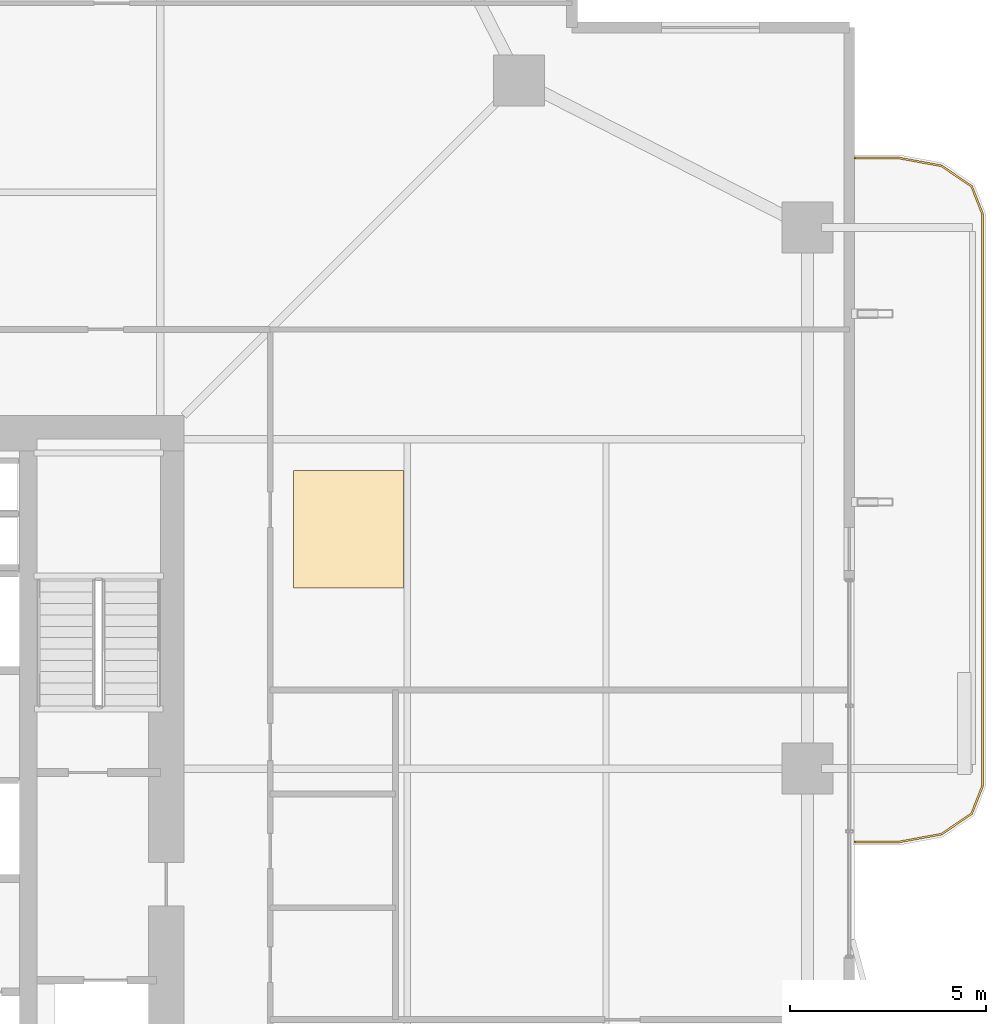
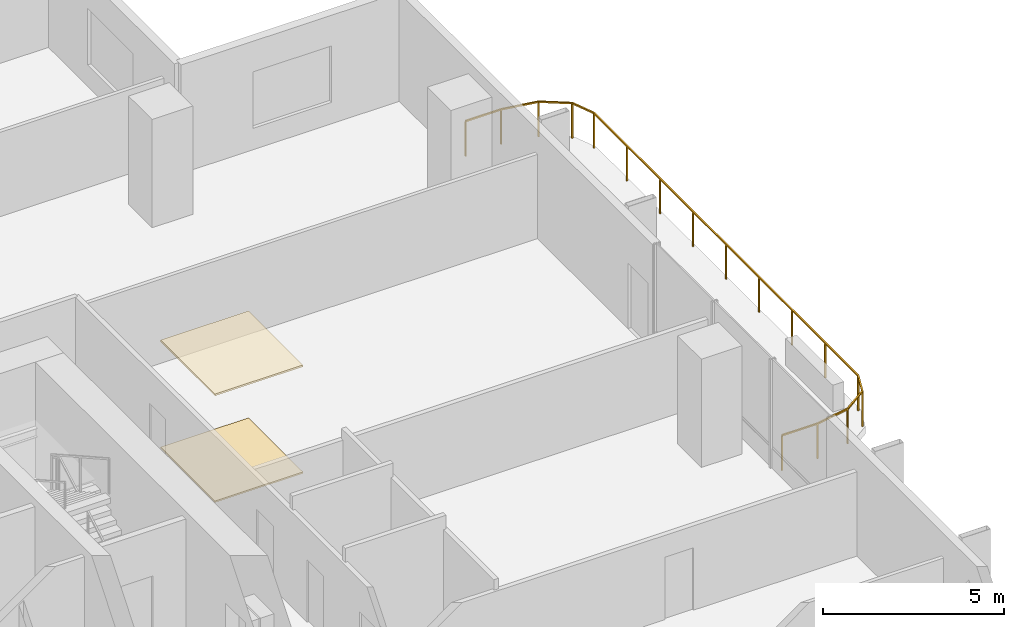
# One storey, part 24 of 24: 2 coverings, 1 railing.
"""IFC4 building model written with IfcOpenShell, lengths in metres."""

from ifc_helpers import new_model, si_unit, direction, frame, origin, origin_2d, place, context, subcontext, project, spatial, polyline, rectangle, outline, extrude, material, layer, layer_set, type_object, element, save


model = new_model("IFC4")

# Units and contexts
model_context = context("Model", 3, precision=1e-05, world=origin(), true_north=direction((0.0, 1.0)))
body_context = subcontext(model_context, "Body", "Model", "MODEL_VIEW")
ifc_project = project(units=[si_unit("LENGTHUNIT", "METRE"), si_unit("AREAUNIT", "SQUARE_METRE"), si_unit("VOLUMEUNIT", "CUBIC_METRE"), si_unit("PLANEANGLEUNIT", "RADIAN"), si_unit("MASSUNIT", "GRAM", prefix="KILO")], contexts=[model_context])

# Site, building, storey
site_placement = place(None, origin())
site = spatial("IfcSite", under=ifc_project, at=site_placement, CompositionType="ELEMENT")
building_placement = place(site_placement, origin())
building = spatial("IfcBuilding", under=site, at=building_placement, Name="Belovzor Exchange Tower", CompositionType="ELEMENT")
storey_placement = place(building_placement, frame((0.0, 0.0, 129.0)))
storey = spatial("IfcBuildingStorey", under=building, at=storey_placement, Name="L31", CompositionType="ELEMENT", Elevation=129.0)

# Railing
ifc_material_1 = material(Name="Stainless Steel and Laminated Safety Glass", Category="steel")
railing_type = type_object("IfcRailingType", Name="Laminated Glass & Stainless Steel Balcony Balustrade 1200", PredefinedType="BALUSTRADE", material=ifc_material_1)
railing_placement = place(storey_placement, frame((54.909912109375, 26.929931640625, 0.0)))
element("IfcRailing", 1, at=railing_placement, inside=storey, type_object=railing_type, Name="GR-1 Balcony Balustrade L31 East", PredefinedType="BALUSTRADE", context=body_context, shape_type="SweptSolid", body=[
    extrude(rectangle(XDim=0.048095703125, YDim=0.048095703125, at=origin_2d()), frame((0.0, 0.0, 1.17578125), z_axis=(1.0, 0.0, 0.0), x_axis=(0.0, 1.0, 0.0)), (0.0, 0.0, 1.0), 1.133056640625),
    extrude(rectangle(XDim=0.048095703125, YDim=0.048095703125, at=origin_2d()), frame((1.133056640625, 0.0, 1.17578125), z_axis=(0.983644145941, 0.180122719713, 0.0), x_axis=(-0.180122719713, 0.983644145941, 0.0)), (0.0, 0.0, 1.0), 1.09375),
    extrude(rectangle(XDim=0.048095703125, YDim=0.048095703125, at=origin_2d()), frame((2.208984375, 0.197021484375, 1.17578125), z_axis=(0.826493025367, 0.56294695933, 0.0), x_axis=(-0.56294695933, 0.826493025367, 0.0)), (0.0, 0.0, 1.0), 0.932861328125),
    extrude(rectangle(XDim=0.048095703125, YDim=0.048095703125, at=origin_2d()), frame((2.97998046875, 0.72216796875, 1.17578125), z_axis=(0.365612923861, 0.930766990125, 0.0), x_axis=(-0.930766990125, 0.365612923861, 0.0)), (0.0, 0.0, 1.0), 0.765869140625),
    extrude(rectangle(XDim=0.048095703125, YDim=0.048095703125, at=origin_2d()), frame((3.260009765625, 1.43505859375, 1.17578125), z_axis=(0.0, 1.0, 0.0), x_axis=(-1.0, 0.0, 0.0)), (0.0, 0.0, 1.0), 14.570068359375),
    extrude(rectangle(XDim=0.048095703125, YDim=0.048095703125, at=origin_2d()), frame((3.260009765625, 16.005126953125, 1.17578125), z_axis=(-0.365612923861, 0.930766990125, 0.0), x_axis=(-0.930766990125, -0.365612923861, 0.0)), (0.0, 0.0, 1.0), 0.765869140625),
    extrude(rectangle(XDim=0.048095703125, YDim=0.048095703125, at=origin_2d()), frame((2.97998046875, 16.718017578125, 1.17578125), z_axis=(-0.826493025367, 0.56294695933, 0.0), x_axis=(-0.56294695933, -0.826493025367, 0.0)), (0.0, 0.0, 1.0), 0.932861328125),
    extrude(rectangle(XDim=0.048095703125, YDim=0.048095703125, at=origin_2d()), frame((2.208984375, 17.2431640625, 1.17578125), z_axis=(-0.983644145941, 0.180122719713, 0.0), x_axis=(-0.180122719713, -0.983644145941, 0.0)), (0.0, 0.0, 1.0), 1.09375),
    extrude(rectangle(XDim=0.048095703125, YDim=0.048095703125, at=origin_2d()), frame((1.133056640625, 17.440185546875, 1.17578125), z_axis=(-1.0, 0.0, 0.0), x_axis=(0.0, -1.0, 0.0)), (0.0, 0.0, 1.0), 1.133056640625),
    extrude(rectangle(XDim=0.0419921875, YDim=0.0419921875, at=origin_2d()), origin(), (0.0, 0.0, 1.0), 1.15185546875),
    extrude(rectangle(XDim=0.0419921875, YDim=0.0419921875, at=origin_2d()), frame((1.133056640625, 0.0, 0.0)), (0.0, 0.0, 1.0), 1.15185546875),
    extrude(rectangle(XDim=0.0419921875, YDim=0.0419921875, at=origin_2d()), frame((2.208984375, 0.197021484375, 0.0)), (0.0, 0.0, 1.0), 1.15185546875),
    extrude(rectangle(XDim=0.0419921875, YDim=0.0419921875, at=origin_2d()), frame((2.97998046875, 0.72216796875, 0.0)), (0.0, 0.0, 1.0), 1.15185546875),
    extrude(rectangle(XDim=0.0419921875, YDim=0.0419921875, at=origin_2d()), frame((3.260009765625, 1.43505859375, 0.0)), (0.0, 0.0, 1.0), 1.15185546875),
    extrude(rectangle(XDim=0.0419921875, YDim=0.0419921875, at=origin_2d()), frame((3.260009765625, 3.25634765625, 0.0)), (0.0, 0.0, 1.0), 1.15185546875),
    extrude(rectangle(XDim=0.0419921875, YDim=0.0419921875, at=origin_2d()), frame((3.260009765625, 5.07763671875, 0.0)), (0.0, 0.0, 1.0), 1.15185546875),
    extrude(rectangle(XDim=0.0419921875, YDim=0.0419921875, at=origin_2d()), frame((3.260009765625, 6.89892578125, 0.0)), (0.0, 0.0, 1.0), 1.15185546875),
    extrude(rectangle(XDim=0.0419921875, YDim=0.0419921875, at=origin_2d()), frame((3.260009765625, 8.72021484375, 0.0)), (0.0, 0.0, 1.0), 1.15185546875),
    extrude(rectangle(XDim=0.0419921875, YDim=0.0419921875, at=origin_2d()), frame((3.260009765625, 10.541259765625, 0.0)), (0.0, 0.0, 1.0), 1.15185546875),
    extrude(rectangle(XDim=0.0419921875, YDim=0.0419921875, at=origin_2d()), frame((3.260009765625, 12.362548828125, 0.0)), (0.0, 0.0, 1.0), 1.15185546875),
    extrude(rectangle(XDim=0.0419921875, YDim=0.0419921875, at=origin_2d()), frame((3.260009765625, 14.183837890625, 0.0)), (0.0, 0.0, 1.0), 1.15185546875),
    extrude(rectangle(XDim=0.0419921875, YDim=0.0419921875, at=origin_2d()), frame((3.260009765625, 16.005126953125, 0.0)), (0.0, 0.0, 1.0), 1.15185546875),
    extrude(rectangle(XDim=0.0419921875, YDim=0.0419921875, at=origin_2d()), frame((2.97998046875, 16.718017578125, 0.0)), (0.0, 0.0, 1.0), 1.15185546875),
    extrude(rectangle(XDim=0.0419921875, YDim=0.0419921875, at=origin_2d()), frame((2.208984375, 17.2431640625, 0.0)), (0.0, 0.0, 1.0), 1.15185546875),
    extrude(rectangle(XDim=0.0419921875, YDim=0.0419921875, at=origin_2d()), frame((1.133056640625, 17.440185546875, 0.0)), (0.0, 0.0, 1.0), 1.15185546875),
    extrude(rectangle(XDim=0.0419921875, YDim=0.0419921875, at=origin_2d()), frame((0.0, 17.440185546875, 0.0)), (0.0, 0.0, 1.0), 1.15185546875),
])

# Coverings
ifc_material_2 = material(Name="Perforated Powder-Coated Aluminium", Category="aluminium")
ifc_layer_1 = layer(ifc_material_2, 0.06005859375)
ifc_layer_set_1 = layer_set([ifc_layer_1], Name="Perforated Powder-Coated Aluminium")
covering_type_1 = type_object("IfcCoveringType", Name="Perforated Acoustic Metal Tile Suspended Ceiling 60", PredefinedType="CEILING", material=ifc_layer_set_1)
covering_1_placement = place(storey_placement, frame((0.0, 0.0, 3.590087890625)))
element("IfcCovering", 2, at=covering_1_placement, inside=storey, type_object=covering_type_1, Name="CLG-AC60 Suspended Ceiling CLG-L31-Z2", PredefinedType="CEILING", context=body_context, shape_type="SweptSolid", body=[
    extrude(outline(polyline([(40.60009765625, 33.39990234375), (43.39990234375, 33.39990234375), (43.39990234375, 36.39990234375), (40.60009765625, 36.39990234375), (40.60009765625, 33.39990234375)])), origin(), (0.0, 0.0, 1.0), 0.059814453125),
])
ifc_material_3 = material(Name="Polished Natural Granite Tile", Category="masonry")
ifc_layer_2 = layer(ifc_material_3, 0.050048828125)
ifc_layer_set_2 = layer_set([ifc_layer_2], Name="Polished Natural Granite Tile")
covering_type_2 = type_object("IfcCoveringType", Name="Polished Karelian Granite & Raised Access Floor Finish 50", PredefinedType="FLOORING", material=ifc_layer_set_2)
covering_2_placement = place(storey_placement, origin())
element("IfcCovering", 3, at=covering_2_placement, inside=storey, type_object=covering_type_2, Name="FLR-GR50 Floor Finish FLR-L31-Z2", PredefinedType="FLOORING", context=body_context, shape_type="SweptSolid", body=[
    extrude(outline(polyline([(40.60009765625, 33.39990234375), (43.39990234375, 33.39990234375), (43.39990234375, 36.39990234375), (40.60009765625, 36.39990234375), (40.60009765625, 33.39990234375)])), origin(), (0.0, 0.0, 1.0), 0.050048828125),
])

save(model, "model.ifc")
